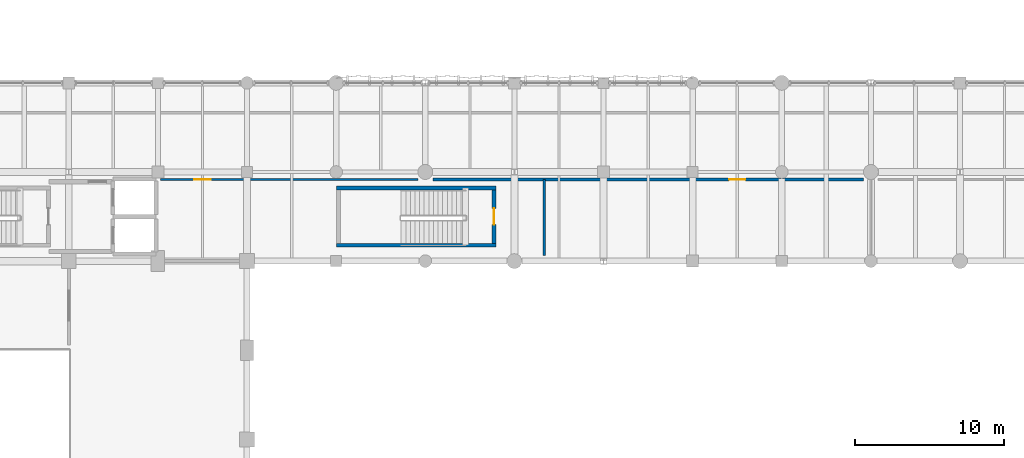
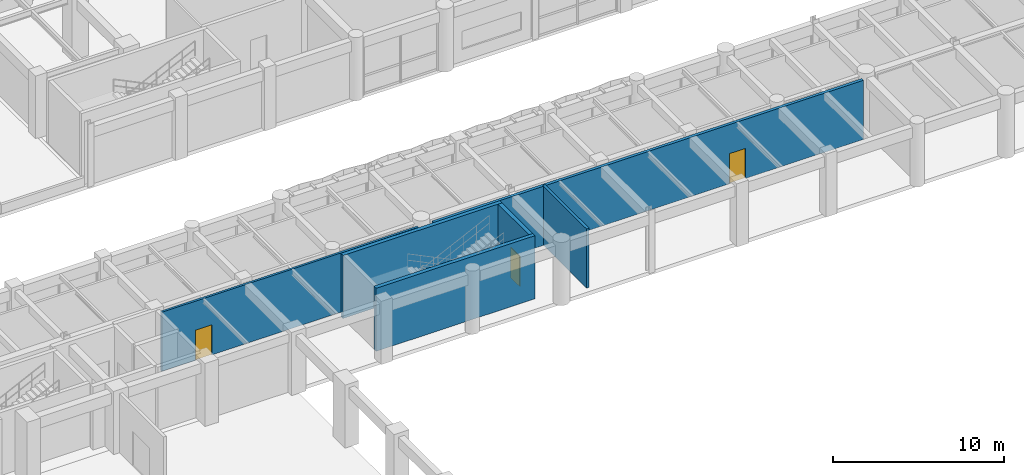
# One storey, part 101 of 133: 6 walls, 3 doors, 3 openings.
"""IFC4 building model written with IfcOpenShell, lengths in metres."""

from ifc_helpers import new_model, si_unit, direction, frame, frame_2d, origin, place, context, subcontext, project, spatial, rectangle, extrude, material, layer, layer_set, type_object, element, fill, save


model = new_model("IFC4")

# Units and contexts
model_context = context("Model", 3, precision=1e-05, world=origin(), true_north=direction((0.0, 1.0)))
body_context = subcontext(model_context, "Body", "Model", "MODEL_VIEW")
ifc_project = project(units=[si_unit("LENGTHUNIT", "METRE"), si_unit("AREAUNIT", "SQUARE_METRE"), si_unit("VOLUMEUNIT", "CUBIC_METRE"), si_unit("PLANEANGLEUNIT", "RADIAN"), si_unit("MASSUNIT", "GRAM", prefix="KILO"), si_unit("THERMODYNAMICTEMPERATUREUNIT", "KELVIN"), si_unit("POWERUNIT", "WATT")], contexts=[model_context])

# Site, building, storey
site_placement = place(None, origin())
site = spatial("IfcSite", under=ifc_project, at=site_placement, CompositionType="ELEMENT")
building_placement = place(site_placement, origin())
building = spatial("IfcBuilding", under=site, at=building_placement, Name="Phaisarnlok Congress Hotel", CompositionType="ELEMENT")
storey_placement = place(building_placement, frame((0.0, 0.0, 6.0)))
storey = spatial("IfcBuildingStorey", under=building, at=storey_placement, Name="L01", CompositionType="ELEMENT", Elevation=6.0)

# Wall, opening, door
ifc_material_1 = material(Name="Acoustic Gypsum Board & Mineral Wool", Category="gypsum")
ifc_layer_1 = layer(ifc_material_1, 0.14990234375, Name="Acoustic Gypsum Board & Mineral Wool")
ifc_layer_set_1 = layer_set([ifc_layer_1], Name="Acoustic Gypsum Board & Mineral Wool")
wall_type_1 = type_object("IfcWallType", Name="WL-INT-150", PredefinedType="PARTITIONING", material=ifc_layer_set_1)
wall_1_placement = place(storey_placement, frame((60.179931640625, 89.5, 0.0), z_axis=(0.0, 0.0, 1.0), x_axis=(1.0, 0.0, 0.0)))
wall_1 = element("IfcWall", 1, at=wall_1_placement, inside=storey, type_object=wall_type_1, Name="Interior partition wall IW-05 (L01)", PredefinedType="PARTITIONING", context=body_context, shape_type="SweptSolid", body=[
    extrude(rectangle(XDim=17.315185546875, YDim=0.14990234375, at=frame_2d((8.65771484375, 0.0))), origin(), (0.0, 0.0, 1.0), 4.219970703125),
])
opening_1_placement = place(wall_1_placement, frame((2.27001953125, 0.0, 0.0)))
opening_1 = element("IfcOpeningElement", 2, at=opening_1_placement, cuts=wall_1, Name="Opening D-0066", PredefinedType="OPENING", context=body_context, shape_type="SweptSolid", body=[
    extrude(rectangle(XDim=1.10009765625, YDim=2.14990234375, at=frame_2d((0.550048828125, 1.074951171875))), frame((0.0, 0.0849609375, 0.0), z_axis=(0.0, -1.0, 0.0), x_axis=(1.0, 0.0, 0.0)), (0.0, 0.0, 1.0), 0.169921875),
])
ifc_material_2 = material(Name="Fire-Rated Steel Frame & Timber Leaf", Category="steel")
door_type = type_object("IfcDoorType", Name="DR-FD60-1100", OperationType="NOTDEFINED", PredefinedType="DOOR", material=ifc_material_2)
door_1_placement = place(opening_1_placement, origin())
door_1 = element("IfcDoor", 3, at=door_1_placement, inside=storey, type_object=door_type, Name="Interior door D-0066 (L01)", OperationType="SINGLE_SWING_RIGHT", OverallHeight=2.14990234375, OverallWidth=1.10009765625, PredefinedType="DOOR", context=body_context, shape_type="SweptSolid", body=[
    extrude(rectangle(XDim=1.10009765625, YDim=2.14990234375, at=frame_2d((0.550048828125, 1.074951171875))), frame((0.0, 0.02490234375, 0.0), z_axis=(0.0, -1.0, 0.0), x_axis=(1.0, 0.0, 0.0)), (0.0, 0.0, 1.0), 0.050048828125),
])
fill(opening_1, door_1)

# Wall
ifc_material_3 = material(Name="Autoclaved Aerated Concrete Block", Category="concrete")
ifc_layer_2 = layer(ifc_material_3, 0.179931640625, Name="Autoclaved Aerated Concrete Block")
ifc_layer_set_2 = layer_set([ifc_layer_2], Name="Autoclaved Aerated Concrete Block")
wall_type_2 = type_object("IfcWallType", Name="WL-INT-180", PredefinedType="PARTITIONING", material=ifc_layer_set_2)
wall_2_placement = place(storey_placement, frame((86.0, 84.3701171875, 0.0), z_axis=(0.0, 0.0, 1.0), x_axis=(0.0, 1.0, 0.0)))
element("IfcWall", 4, at=wall_2_placement, inside=storey, type_object=wall_type_2, Name="Interior partition wall IW-03 (L01)", PredefinedType="PARTITIONING", context=body_context, shape_type="SweptSolid", body=[
    extrude(rectangle(XDim=5.1298828125, YDim=0.179931640625, at=frame_2d((2.56494140625, 0.0))), origin(), (0.0, 0.0, 1.0), 4.219970703125),
])

# Wall, opening, door
ifc_layer_3 = layer(ifc_material_3, 0.199951171875, Name="Autoclaved Aerated Concrete Block")
ifc_layer_set_3 = layer_set([ifc_layer_3], Name="Autoclaved Aerated Concrete Block")
wall_type_3 = type_object("IfcWallType", Name="WL-INT-200", PredefinedType="PARTITIONING", material=ifc_layer_set_3)
wall_3_placement = place(storey_placement, frame((78.5048828125, 89.5, 0.0), z_axis=(0.0, 0.0, 1.0), x_axis=(1.0, 0.0, 0.0)))
wall_3 = element("IfcWall", 5, at=wall_3_placement, inside=storey, type_object=wall_type_3, Name="Interior partition wall IW-02 (L01)", PredefinedType="PARTITIONING", context=body_context, shape_type="SweptSolid", body=[
    extrude(rectangle(XDim=28.990234375, YDim=0.199951171875, at=frame_2d((14.4951171875, 0.0))), origin(), (0.0, 0.0, 1.0), 4.219970703125),
])
opening_2_placement = place(wall_3_placement, frame((19.945068359375, 0.0, 0.0)))
opening_2 = element("IfcOpeningElement", 6, at=opening_2_placement, cuts=wall_3, Name="Opening D-0067", PredefinedType="OPENING", context=body_context, shape_type="SweptSolid", body=[
    extrude(rectangle(XDim=1.10009765625, YDim=2.14990234375, at=frame_2d((0.550048828125, 1.074951171875))), frame((0.0, 0.10986328125, 0.0), z_axis=(0.0, -1.0, 0.0), x_axis=(1.0, 0.0, 0.0)), (0.0, 0.0, 1.0), 0.219970703125),
])
door_2_placement = place(opening_2_placement, origin())
door_2 = element("IfcDoor", 7, at=door_2_placement, inside=storey, type_object=door_type, Name="Interior door D-0067 (L01)", OperationType="SINGLE_SWING_LEFT", OverallHeight=2.14990234375, OverallWidth=1.10009765625, PredefinedType="DOOR", context=body_context, shape_type="SweptSolid", body=[
    extrude(rectangle(XDim=1.10009765625, YDim=2.14990234375, at=frame_2d((0.550048828125, 1.074951171875))), frame((0.0, 0.02490234375, 0.0), z_axis=(0.0, -1.0, 0.0), x_axis=(1.0, 0.0, 0.0)), (0.0, 0.0, 1.0), 0.050048828125),
])
fill(opening_2, door_2)

# Walls
ifc_material_4 = material(Name="Concrete C50/60", Category="concrete")
ifc_layer_4 = layer(ifc_material_4, 0.260009765625, Name="Concrete C50/60")
ifc_layer_set_4 = layer_set([ifc_layer_4], Name="Concrete C50/60")
wall_type_4 = type_object("IfcWallType", Name="WL-SHR-260", PredefinedType="SHEAR", material=ifc_layer_set_4)
for number, where, z_axis, x_axis, name in (
    (8, (72.0400390625, 85.070068359375, 0.0), (0.0, 0.0, 1.0), (1.0, 0.0, 0.0), "Stair shaft shear wall SW-04 (STAIR-POD-C L01)"),
    (9, (72.0400390625, 88.929931640625, 0.0), (0.0, 0.0, 1.0), (1.0, 0.0, 0.0), "Stair shaft shear wall SW-04 (STAIR-POD-C L01)"),
):
    element("IfcWall", number, at=place(storey_placement, frame(where, z_axis=z_axis, x_axis=x_axis)), inside=storey, type_object=wall_type_4, Name=name, PredefinedType="SHEAR", context=body_context, shape_type="SweptSolid", body=[
        extrude(rectangle(XDim=10.719970703125, YDim=0.260009765625, at=frame_2d((5.35986328125, 0.0))), origin(), (0.0, 0.0, 1.0), 4.5),
    ])

# Wall, opening, door
wall_4_placement = place(storey_placement, frame((82.6298828125, 85.199951171875, 0.0), z_axis=(0.0, 0.0, 1.0), x_axis=(0.0, 1.0, 0.0)))
wall_4 = element("IfcWall", 10, at=wall_4_placement, inside=storey, type_object=wall_type_4, Name="Stair shaft shear wall SW-04 (STAIR-POD-C L01)", PredefinedType="SHEAR", context=body_context, shape_type="SweptSolid", body=[
    extrude(rectangle(XDim=3.60009765625, YDim=0.260009765625, at=frame_2d((1.800048828125, 0.0))), origin(), (0.0, 0.0, 1.0), 4.5),
])
opening_3_placement = place(wall_4_placement, frame((1.25, 0.0, 0.0)))
opening_3 = element("IfcOpeningElement", 11, at=opening_3_placement, cuts=wall_4, Name="Opening FD-161", PredefinedType="OPENING", context=body_context, shape_type="SweptSolid", body=[
    extrude(rectangle(XDim=1.10009765625, YDim=2.14990234375, at=frame_2d((0.550048828125, 1.074951171875))), frame((0.0, 0.14013671875, 0.0), z_axis=(0.0, -1.0, 0.0), x_axis=(1.0, 0.0, 0.0)), (0.0, 0.0, 1.0), 0.280029296875),
])
door_3_placement = place(opening_3_placement, origin())
door_3 = element("IfcDoor", 12, at=door_3_placement, inside=storey, type_object=door_type, Name="Stair enclosure fire door FD-161 (L01)", OperationType="SINGLE_SWING_RIGHT", OverallHeight=2.14990234375, OverallWidth=1.10009765625, PredefinedType="DOOR", context=body_context, shape_type="SweptSolid", body=[
    extrude(rectangle(XDim=1.10009765625, YDim=2.14990234375, at=frame_2d((0.550048828125, 1.074951171875))), frame((0.0, 0.02490234375, 0.0), z_axis=(0.0, -1.0, 0.0), x_axis=(1.0, 0.0, 0.0)), (0.0, 0.0, 1.0), 0.050048828125),
])
fill(opening_3, door_3)

save(model, "model.ifc")
